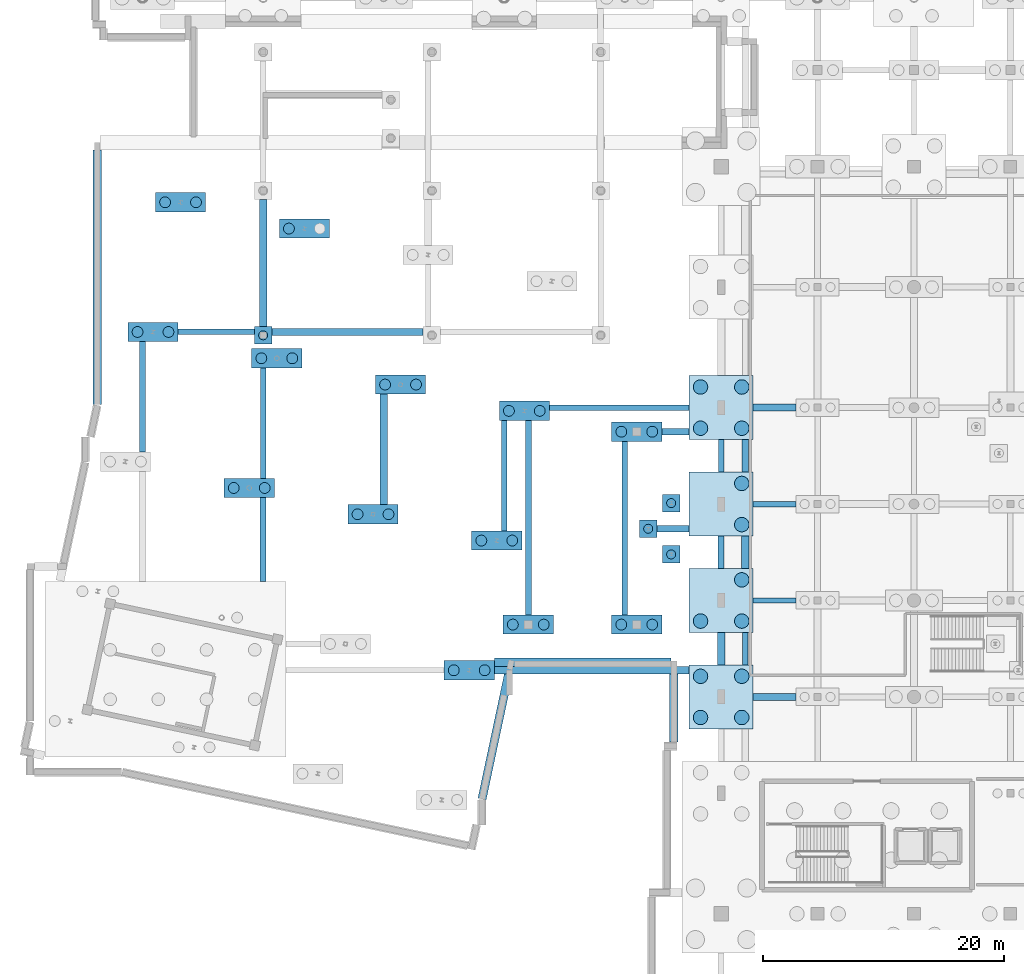
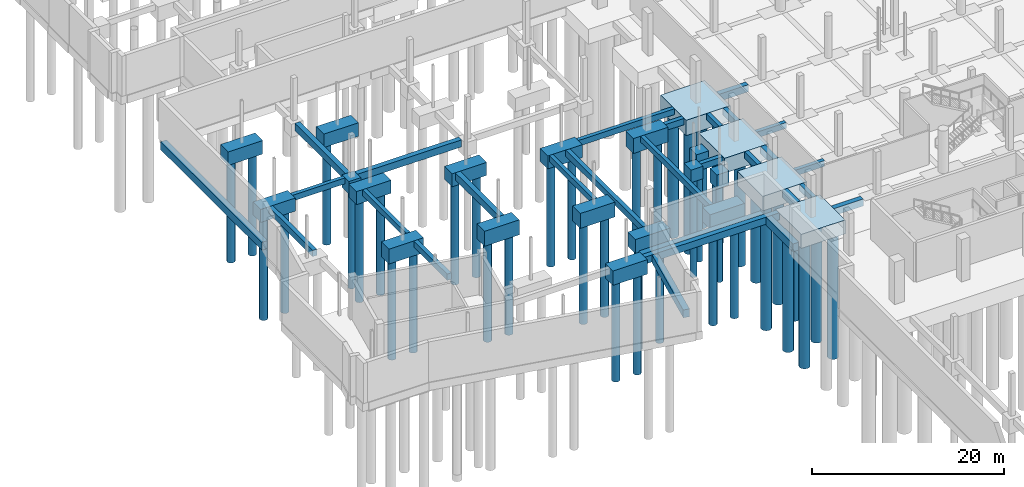
# One storey, part 4 of 65: 49 footings, 42 piles.
"""IFC4 building model written with IfcOpenShell, lengths in metres."""

from ifc_helpers import new_model, si_unit, direction, frame, origin, origin_2d, place, context, subcontext, project, spatial, rectangle, circle, extrude, material, material_profile, profile_set, type_object, element, save


model = new_model("IFC4")

# Units and contexts
model_context = context("Model", 3, precision=1e-05, world=origin(), true_north=direction((0.0, 1.0)))
body_context = subcontext(model_context, "Body", "Model", "MODEL_VIEW")
ifc_project = project(units=[si_unit("LENGTHUNIT", "METRE"), si_unit("AREAUNIT", "SQUARE_METRE"), si_unit("VOLUMEUNIT", "CUBIC_METRE"), si_unit("PLANEANGLEUNIT", "RADIAN"), si_unit("MASSUNIT", "GRAM", prefix="KILO")], contexts=[model_context])

# Site, building, storey
site_placement = place(None, origin())
site = spatial("IfcSite", under=ifc_project, at=site_placement, CompositionType="ELEMENT")
building_placement = place(site_placement, origin())
building = spatial("IfcBuilding", under=site, at=building_placement, Name="Khorjan Park Terminus", CompositionType="ELEMENT")
storey_placement = place(building_placement, frame((0.0, 0.0, -5.4)))
storey = spatial("IfcBuildingStorey", under=building, at=storey_placement, Name="B1", CompositionType="ELEMENT", Elevation=-5.4)

# Footings
ifc_material = material(Name="Concrete C40/50", Category="concrete")
ifc_material_profile_1 = material_profile(ifc_material, rectangle(XDim=0.45, YDim=0.75, at=origin_2d()), Name="RC 450x750")
ifc_profile_set_1 = profile_set([ifc_material_profile_1], Name="Concrete C40/50")
footing_type_1 = type_object("IfcFootingType", Name="FTG-GB-450x750", PredefinedType="FOOTING_BEAM", material=ifc_profile_set_1)
for number, where, z_axis, x_axis, name in (
    (1, (50.66, 52.0, -0.375), (1.0, 0.0, 0.0), (0.0, 1.0, 0.0), "Reinforced concrete ground tie beam FB-07 (38)"),
    (2, (50.66, 60.0, -0.375), (1.0, 0.0, 0.0), (0.0, 1.0, 0.0), "Reinforced concrete ground tie beam FB-07 (47)"),
):
    element("IfcFooting", number, at=place(storey_placement, frame(where, z_axis=z_axis, x_axis=x_axis)), inside=storey, type_object=footing_type_1, Name=name, PredefinedType="FOOTING_BEAM", context=body_context, shape_type="SweptSolid", body=[
        extrude(rectangle(XDim=0.45, YDim=0.75, at=origin_2d()), origin(), (0.0, 0.0, 1.0), 3.546),
    ])
footing_1_placement = place(storey_placement, frame((33.755, 68.0, -0.375), z_axis=(1.0, 0.0, 0.0), x_axis=(0.0, 1.0, 0.0)))
element("IfcFooting", 3, at=footing_1_placement, inside=storey, type_object=footing_type_1, Name="Reinforced concrete ground tie beam FB-07 (56)", PredefinedType="FOOTING_BEAM", context=body_context, shape_type="SweptSolid", body=[
    extrude(rectangle(XDim=0.45, YDim=0.75, at=origin_2d()), origin(), (0.0, 0.0, 1.0), 11.585),
])
footing_2_placement = place(storey_placement, frame((2.944, 74.28, -0.375), z_axis=(1.0, 0.0, 0.0), x_axis=(0.0, 1.0, 0.0)))
element("IfcFooting", 4, at=footing_2_placement, inside=storey, type_object=footing_type_1, Name="Reinforced concrete ground tie beam FB-07 (65)", PredefinedType="FOOTING_BEAM", context=body_context, shape_type="SweptSolid", body=[
    extrude(rectangle(XDim=0.45, YDim=0.75, at=origin_2d()), origin(), (0.0, 0.0, 1.0), 6.331),
])
for number, where, z_axis, x_axis, name in (
    (5, (10.0, 62.136, -0.375), (0.0, 1.0, 0.0), (-1.0, 0.0, 0.0), "Reinforced concrete ground tie beam FB-07 (188)"),
    (6, (30.0, 57.77, -0.375), (0.0, 1.0, 0.0), (-1.0, 0.0, 0.0), "Reinforced concrete ground tie beam FB-07 (206)"),
):
    element("IfcFooting", number, at=place(storey_placement, frame(where, z_axis=z_axis, x_axis=x_axis)), inside=storey, type_object=footing_type_1, Name=name, PredefinedType="FOOTING_BEAM", context=body_context, shape_type="SweptSolid", body=[
        extrude(rectangle(XDim=0.45, YDim=0.75, at=origin_2d()), origin(), (0.0, 0.0, 1.0), 9.16),
    ])
footing_3_placement = place(storey_placement, frame((40.0, 50.8, -0.375), z_axis=(0.0, 1.0, 0.0), x_axis=(-1.0, 0.0, 0.0)))
element("IfcFooting", 7, at=footing_3_placement, inside=storey, type_object=footing_type_1, Name="Reinforced concrete ground tie beam FB-07 (215)", PredefinedType="FOOTING_BEAM", context=body_context, shape_type="SweptSolid", body=[
    extrude(rectangle(XDim=0.45, YDim=0.75, at=origin_2d()), origin(), (0.0, 0.0, 1.0), 14.4),
])
for number, where, z_axis, x_axis, name in (
    (8, (48.0, 62.66, -0.375), (0.0, 1.0, 0.0), (-1.0, 0.0, 0.0), "Reinforced concrete ground tie beam FB-07 (227)"),
    (9, (50.0, 46.66, -0.375), (0.0, 1.0, 0.0), (-1.0, 0.0, 0.0), "Reinforced concrete ground tie beam FB-07 (236)"),
):
    element("IfcFooting", number, at=place(storey_placement, frame(where, z_axis=z_axis, x_axis=x_axis)), inside=storey, type_object=footing_type_1, Name=name, PredefinedType="FOOTING_BEAM", context=body_context, shape_type="SweptSolid", body=[
        extrude(rectangle(XDim=0.45, YDim=0.75, at=origin_2d()), origin(), (0.0, 0.0, 1.0), 2.68),
    ])
ifc_material_profile_2 = material_profile(ifc_material, rectangle(XDim=0.5, YDim=0.8, at=origin_2d()), Name="RC 500x800")
ifc_profile_set_2 = profile_set([ifc_material_profile_2], Name="Concrete C40/50")
footing_type_2 = type_object("IfcFootingType", Name="FTG-GB-500x800", PredefinedType="FOOTING_BEAM", material=ifc_profile_set_2)
footing_4_placement = place(storey_placement, frame((42.675, 57.95, -0.4), z_axis=(1.0, 0.0, 0.0), x_axis=(0.0, 1.0, 0.0)))
element("IfcFooting", 10, at=footing_4_placement, inside=storey, type_object=footing_type_2, Name="Reinforced concrete ground tie beam FB-08 (46)", PredefinedType="FOOTING_BEAM", context=body_context, shape_type="SweptSolid", body=[
    extrude(rectangle(XDim=0.5, YDim=0.8, at=origin_2d()), origin(), (0.0, 0.0, 1.0), 2.665),
])
footing_5_placement = place(storey_placement, frame((43.083, 66.0, -0.4), z_axis=(1.0, 0.0, 0.0), x_axis=(0.0, 1.0, 0.0)))
element("IfcFooting", 11, at=footing_5_placement, inside=storey, type_object=footing_type_2, Name="Reinforced concrete ground tie beam FB-08 (55)", PredefinedType="FOOTING_BEAM", context=body_context, shape_type="SweptSolid", body=[
    extrude(rectangle(XDim=0.5, YDim=0.8, at=origin_2d()), origin(), (0.0, 0.0, 1.0), 2.257),
])
footing_6_placement = place(storey_placement, frame((0.0, 64.319, -0.4), z_axis=(0.0, 1.0, 0.0), x_axis=(-1.0, 0.0, 0.0)))
element("IfcFooting", 12, at=footing_6_placement, inside=storey, type_object=footing_type_2, Name="Reinforced concrete ground tie beam FB-08 (181)", PredefinedType="FOOTING_BEAM", context=body_context, shape_type="SweptSolid", body=[
    extrude(rectangle(XDim=0.5, YDim=0.8, at=origin_2d()), origin(), (0.0, 0.0, 1.0), 9.16),
])
footing_7_placement = place(storey_placement, frame((10.0, 53.56, -0.4), z_axis=(0.0, 1.0, 0.0), x_axis=(-1.0, 0.0, 0.0)))
element("IfcFooting", 13, at=footing_7_placement, inside=storey, type_object=footing_type_2, Name="Reinforced concrete ground tie beam FB-08 (187)", PredefinedType="FOOTING_BEAM", context=body_context, shape_type="SweptSolid", body=[
    extrude(rectangle(XDim=0.5, YDim=0.8, at=origin_2d()), origin(), (0.0, 0.0, 1.0), 6.976),
])
footing_8_placement = place(storey_placement, frame((32.0, 50.8, -0.4), z_axis=(0.0, 1.0, 0.0), x_axis=(-1.0, 0.0, 0.0)))
element("IfcFooting", 14, at=footing_8_placement, inside=storey, type_object=footing_type_2, Name="Reinforced concrete ground tie beam FB-08 (211)", PredefinedType="FOOTING_BEAM", context=body_context, shape_type="SweptSolid", body=[
    extrude(rectangle(XDim=0.5, YDim=0.8, at=origin_2d()), origin(), (0.0, 0.0, 1.0), 16.13),
])
for number, where, z_axis, x_axis, name in (
    (15, (48.0, 54.66, -0.4), (0.0, 1.0, 0.0), (-1.0, 0.0, 0.0), "Reinforced concrete ground tie beam FB-08 (226)"),
    (16, (50.0, 62.66, -0.4), (0.0, 1.0, 0.0), (-1.0, 0.0, 0.0), "Reinforced concrete ground tie beam FB-08 (238)"),
):
    element("IfcFooting", number, at=place(storey_placement, frame(where, z_axis=z_axis, x_axis=x_axis)), inside=storey, type_object=footing_type_2, Name=name, PredefinedType="FOOTING_BEAM", context=body_context, shape_type="SweptSolid", body=[
        extrude(rectangle(XDim=0.5, YDim=0.8, at=origin_2d()), origin(), (0.0, 0.0, 1.0), 2.68),
    ])
ifc_material_profile_3 = material_profile(ifc_material, rectangle(XDim=0.6, YDim=0.9, at=origin_2d()), Name="RC 600x900")
ifc_profile_set_3 = profile_set([ifc_material_profile_3], Name="Concrete C40/50")
footing_type_3 = type_object("IfcFootingType", Name="FTG-GB-600x900", PredefinedType="FOOTING_BEAM", material=ifc_profile_set_3)
footing_9_placement = place(storey_placement, frame((50.66, 44.0, -0.45), z_axis=(1.0, 0.0, 0.0), x_axis=(0.0, 1.0, 0.0)))
element("IfcFooting", 17, at=footing_9_placement, inside=storey, type_object=footing_type_3, Name="Reinforced concrete ground tie beam FB-09 (27)", PredefinedType="FOOTING_BEAM", context=body_context, shape_type="SweptSolid", body=[
    extrude(rectangle(XDim=0.6, YDim=0.9, at=origin_2d()), origin(), (0.0, 0.0, 1.0), 3.546),
])
footing_10_placement = place(storey_placement, frame((29.181, 46.21, -0.45), z_axis=(1.0, 0.0, 0.0), x_axis=(0.0, 1.0, 0.0)))
element("IfcFooting", 18, at=footing_10_placement, inside=storey, type_object=footing_type_3, Name="Reinforced concrete ground tie beam FB-09 (36)", PredefinedType="FOOTING_BEAM", context=body_context, shape_type="SweptSolid", body=[
    extrude(rectangle(XDim=0.6, YDim=0.9, at=origin_2d()), origin(), (0.0, 0.0, 1.0), 16.159),
])
footing_11_placement = place(storey_placement, frame((50.66, 68.0, -0.45), z_axis=(1.0, 0.0, 0.0), x_axis=(0.0, 1.0, 0.0)))
element("IfcFooting", 19, at=footing_11_placement, inside=storey, type_object=footing_type_3, Name="Reinforced concrete ground tie beam FB-09 (57)", PredefinedType="FOOTING_BEAM", context=body_context, shape_type="SweptSolid", body=[
    extrude(rectangle(XDim=0.6, YDim=0.9, at=origin_2d()), origin(), (0.0, 0.0, 1.0), 3.546),
])
footing_12_placement = place(storey_placement, frame((10.725, 74.28, -0.45), z_axis=(1.0, 0.0, 0.0), x_axis=(0.0, 1.0, 0.0)))
element("IfcFooting", 20, at=footing_12_placement, inside=storey, type_object=footing_type_3, Name="Reinforced concrete ground tie beam FB-09 (66)", PredefinedType="FOOTING_BEAM", context=body_context, shape_type="SweptSolid", body=[
    extrude(rectangle(XDim=0.6, YDim=0.9, at=origin_2d()), origin(), (0.0, 0.0, 1.0), 12.55),
])
footing_13_placement = place(storey_placement, frame((10.0, 74.725, -0.45), z_axis=(0.0, 1.0, 0.0), x_axis=(-1.0, 0.0, 0.0)))
element("IfcFooting", 21, at=footing_13_placement, inside=storey, type_object=footing_type_3, Name="Reinforced concrete ground tie beam FB-09 (189)", PredefinedType="FOOTING_BEAM", context=body_context, shape_type="SweptSolid", body=[
    extrude(rectangle(XDim=0.6, YDim=0.9, at=origin_2d()), origin(), (0.0, 0.0, 1.0), 10.55),
])
footing_14_placement = place(storey_placement, frame((20.0, 59.953, -0.45), z_axis=(0.0, 1.0, 0.0), x_axis=(-1.0, 0.0, 0.0)))
element("IfcFooting", 22, at=footing_14_placement, inside=storey, type_object=footing_type_3, Name="Reinforced concrete ground tie beam FB-09 (195)", PredefinedType="FOOTING_BEAM", context=body_context, shape_type="SweptSolid", body=[
    extrude(rectangle(XDim=0.6, YDim=0.9, at=origin_2d()), origin(), (0.0, 0.0, 1.0), 9.16),
])
for number, where, z_axis, x_axis, name in (
    (23, (48.0, 46.66, -0.45), (0.0, 1.0, 0.0), (-1.0, 0.0, 0.0), "Reinforced concrete ground tie beam FB-09 (225)"),
    (24, (50.0, 54.66, -0.45), (0.0, 1.0, 0.0), (-1.0, 0.0, 0.0), "Reinforced concrete ground tie beam FB-09 (237)"),
):
    element("IfcFooting", number, at=place(storey_placement, frame(where, z_axis=z_axis, x_axis=x_axis)), inside=storey, type_object=footing_type_3, Name=name, PredefinedType="FOOTING_BEAM", context=body_context, shape_type="SweptSolid", body=[
        extrude(rectangle(XDim=0.6, YDim=0.9, at=origin_2d()), origin(), (0.0, 0.0, 1.0), 2.68),
    ])
footing_type_4 = type_object("IfcFootingType", Name="FTG-PC-02", PredefinedType="PILE_CAP", material=ifc_material)
for number, where, z_axis, x_axis, name in (
    (25, (8.8455, 61.336, -1.9), (0.0, 0.0, 1.0), (1.0, 0.0, 0.0), "Reinforced concrete pile cap PC-02 (11)"),
    (26, (19.1145, 59.153, -1.9), (0.0, 0.0, 1.0), (1.0, 0.0, 0.0), "Reinforced concrete pile cap PC-02 (25)"),
    (27, (29.3855, 56.97, -1.9), (0.0, 0.0, 1.0), (1.0, 0.0, 0.0), "Reinforced concrete pile cap PC-02 (41)"),
):
    element("IfcFooting", number, at=place(storey_placement, frame(where, z_axis=z_axis, x_axis=x_axis)), inside=storey, type_object=footing_type_4, Name=name, PredefinedType="PILE_CAP", context=body_context, shape_type="SweptSolid", body=[
        extrude(rectangle(XDim=4.165, YDim=1.6, at=origin_2d()), origin(), (0.0, 0.0, 1.0), 1.9),
    ])
footing_15_placement = place(storey_placement, frame((41.0, 66.0, -1.9), z_axis=(0.0, 0.0, 1.0), x_axis=(1.0, 0.0, 0.0)))
element("IfcFooting", 28, at=footing_15_placement, inside=storey, type_object=footing_type_4, Name="Reinforced concrete pile cap PC-02 (61)", PredefinedType="PILE_CAP", context=body_context, shape_type="SweptSolid", body=[
    extrude(rectangle(XDim=4.166, YDim=1.6, at=origin_2d()), origin(), (0.0, 0.0, 1.0), 1.9),
])
footing_type_5 = type_object("IfcFootingType", Name="FTG-PC-05", PredefinedType="PILE_CAP", material=ifc_material)
footing_16_placement = place(storey_placement, frame((32.0005, 50.0, -1.78), z_axis=(0.0, 0.0, 1.0), x_axis=(1.0, 0.0, 0.0)))
element("IfcFooting", 29, at=footing_16_placement, inside=storey, type_object=footing_type_5, Name="Reinforced concrete pile cap PC-05 (49)", PredefinedType="PILE_CAP", context=body_context, shape_type="SweptSolid", body=[
    extrude(rectangle(XDim=4.165, YDim=1.6, at=origin_2d()), origin(), (0.0, 0.0, 1.0), 1.78),
])
footing_type_6 = type_object("IfcFootingType", Name="FTG-PC-06", PredefinedType="PILE_CAP", material=ifc_material)
footing_17_placement = place(storey_placement, frame((41.0, 50.0, -1.84), z_axis=(0.0, 0.0, 1.0), x_axis=(1.0, 0.0, 0.0)))
element("IfcFooting", 30, at=footing_17_placement, inside=storey, type_object=footing_type_6, Name="Reinforced concrete pile cap PC-06 (60)", PredefinedType="PILE_CAP", context=body_context, shape_type="SweptSolid", body=[
    extrude(rectangle(XDim=4.166, YDim=1.6, at=origin_2d()), origin(), (0.0, 0.0, 1.0), 1.84),
])
footing_type_7 = type_object("IfcFootingType", Name="FTG-PC-07", PredefinedType="PILE_CAP", material=ifc_material)
footing_18_placement = place(storey_placement, frame((0.861, 74.279, -1.66), z_axis=(0.0, 0.0, 1.0), x_axis=(1.0, 0.0, 0.0)))
element("IfcFooting", 31, at=footing_18_placement, inside=storey, type_object=footing_type_7, Name="Reinforced concrete pile cap PC-07 (9)", PredefinedType="PILE_CAP", context=body_context, shape_type="SweptSolid", body=[
    extrude(rectangle(XDim=4.166, YDim=1.6, at=origin_2d()), origin(), (0.0, 0.0, 1.0), 1.66),
])
for number, where, z_axis, x_axis, name in (
    (32, (21.4025, 69.913, -1.66), (0.0, 0.0, 1.0), (1.0, 0.0, 0.0), "Reinforced concrete pile cap PC-07 (32)"),
    (33, (31.6725, 67.73, -1.66), (0.0, 0.0, 1.0), (1.0, 0.0, 0.0), "Reinforced concrete pile cap PC-07 (48)"),
):
    element("IfcFooting", number, at=place(storey_placement, frame(where, z_axis=z_axis, x_axis=x_axis)), inside=storey, type_object=footing_type_7, Name=name, PredefinedType="PILE_CAP", context=body_context, shape_type="SweptSolid", body=[
        extrude(rectangle(XDim=4.165, YDim=1.6, at=origin_2d()), origin(), (0.0, 0.0, 1.0), 1.66),
    ])
footing_type_8 = type_object("IfcFootingType", Name="FTG-PC-08", PredefinedType="PILE_CAP", material=ifc_material)
for number, where, z_axis, x_axis, name in (
    (34, (3.1485, 85.038, -1.72), (0.0, 0.0, 1.0), (1.0, 0.0, 0.0), "Reinforced concrete pile cap PC-08 (10)"),
    (35, (13.4195, 82.855, -1.72), (0.0, 0.0, 1.0), (1.0, 0.0, 0.0), "Reinforced concrete pile cap PC-08 (22)"),
):
    element("IfcFooting", number, at=place(storey_placement, frame(where, z_axis=z_axis, x_axis=x_axis)), inside=storey, type_object=footing_type_8, Name=name, PredefinedType="PILE_CAP", context=body_context, shape_type="SweptSolid", body=[
        extrude(rectangle(XDim=4.165, YDim=1.6, at=origin_2d()), origin(), (0.0, 0.0, 1.0), 1.72),
    ])
footing_type_9 = type_object("IfcFootingType", Name="FTG-PC-11", PredefinedType="PILE_CAP", material=ifc_material)
footing_19_placement = place(storey_placement, frame((27.099, 46.21, -1.84), z_axis=(0.0, 0.0, 1.0), x_axis=(1.0, 0.0, 0.0)))
element("IfcFooting", 36, at=footing_19_placement, inside=storey, type_object=footing_type_9, Name="Reinforced concrete pile cap PC-11 (40)", PredefinedType="PILE_CAP", context=body_context, shape_type="SweptSolid", body=[
    extrude(rectangle(XDim=4.164, YDim=1.6, at=origin_2d()), origin(), (0.0, 0.0, 1.0), 1.84),
])
footing_type_10 = type_object("IfcFootingType", Name="FTG-PC-13", PredefinedType="PILE_CAP", material=ifc_material)
footing_20_placement = place(storey_placement, frame((11.132, 72.096, -1.66), z_axis=(0.0, 0.0, 1.0), x_axis=(1.0, 0.0, 0.0)))
element("IfcFooting", 37, at=footing_20_placement, inside=storey, type_object=footing_type_10, Name="Reinforced concrete pile cap PC-13 (18)", PredefinedType="PILE_CAP", context=body_context, shape_type="SweptSolid", body=[
    extrude(rectangle(XDim=4.164, YDim=1.6, at=origin_2d()), origin(), (0.0, 0.0, 1.0), 1.66),
])
footing_type_11 = type_object("IfcFootingType", Name="FTG-PC-15", PredefinedType="PILE_CAP", material=ifc_material)
for number, where, z_axis, x_axis, name in (
    (38, (10.0, 74.0, -1.6), (0.0, 0.0, 1.0), (1.0, 0.0, 0.0), "Reinforced concrete pile cap PC-15 (19)"),
    (39, (41.95, 57.95, -1.6), (0.0, 0.0, 1.0), (1.0, 0.0, 0.0), "Reinforced concrete pile cap PC-15 (62)"),
):
    element("IfcFooting", number, at=place(storey_placement, frame(where, z_axis=z_axis, x_axis=x_axis)), inside=storey, type_object=footing_type_11, Name=name, PredefinedType="PILE_CAP", context=body_context, shape_type="SweptSolid", body=[
        extrude(rectangle(XDim=1.45, YDim=1.45, at=origin_2d()), origin(), (0.0, 0.0, 1.0), 1.6),
    ])
footing_type_12 = type_object("IfcFootingType", Name="FTG-PC-21", PredefinedType="PILE_CAP", material=ifc_material)
footing_21_placement = place(storey_placement, frame((43.85, 60.08, -1.84), z_axis=(0.0, 0.0, 1.0), x_axis=(1.0, 0.0, 0.0)))
element("IfcFooting", 40, at=footing_21_placement, inside=storey, type_object=footing_type_12, Name="Reinforced concrete pile cap PC-21 (64)", PredefinedType="PILE_CAP", context=body_context, shape_type="SweptSolid", body=[
    extrude(rectangle(XDim=1.45, YDim=1.45, at=origin_2d()), origin(), (0.0, 0.0, 1.0), 1.84),
])
footing_type_13 = type_object("IfcFootingType", Name="FTG-PC-22", PredefinedType="PILE_CAP", material=ifc_material)
footing_22_placement = place(storey_placement, frame((43.85, 55.82, -1.78), z_axis=(0.0, 0.0, 1.0), x_axis=(1.0, 0.0, 0.0)))
element("IfcFooting", 41, at=footing_22_placement, inside=storey, type_object=footing_type_13, Name="Reinforced concrete pile cap PC-22 (63)", PredefinedType="PILE_CAP", context=body_context, shape_type="SweptSolid", body=[
    extrude(rectangle(XDim=1.45, YDim=1.45, at=origin_2d()), origin(), (0.0, 0.0, 1.0), 1.78),
])
footing_type_14 = type_object("IfcFootingType", Name="FTG-PC-23", PredefinedType="PILE_CAP", material=ifc_material)
footing_23_placement = place(storey_placement, frame((48.0, 68.0, -1.96), z_axis=(0.0, 0.0, 1.0), x_axis=(1.0, 0.0, 0.0)))
element("IfcFooting", 42, at=footing_23_placement, inside=storey, type_object=footing_type_14, Name="Reinforced concrete pile cap PC-23 (70)", PredefinedType="PILE_CAP", context=body_context, shape_type="SweptSolid", body=[
    extrude(rectangle(XDim=5.32, YDim=5.32, at=origin_2d()), origin(), (0.0, 0.0, 1.0), 1.96),
])
footing_type_15 = type_object("IfcFootingType", Name="FTG-PC-29", PredefinedType="PILE_CAP", material=ifc_material)
footing_24_placement = place(storey_placement, frame((48.0, 44.0, -1.78), z_axis=(0.0, 0.0, 1.0), x_axis=(1.0, 0.0, 0.0)))
element("IfcFooting", 43, at=footing_24_placement, inside=storey, type_object=footing_type_15, Name="Reinforced concrete pile cap PC-29 (67)", PredefinedType="PILE_CAP", context=body_context, shape_type="SweptSolid", body=[
    extrude(rectangle(XDim=5.32, YDim=5.32, at=origin_2d()), origin(), (0.0, 0.0, 1.0), 1.78),
])
footing_type_16 = type_object("IfcFootingType", Name="FTG-PC-30", PredefinedType="PILE_CAP", material=ifc_material)
footing_25_placement = place(storey_placement, frame((48.0, 52.0, -1.84), z_axis=(0.0, 0.0, 1.0), x_axis=(1.0, 0.0, 0.0)))
element("IfcFooting", 44, at=footing_25_placement, inside=storey, type_object=footing_type_16, Name="Reinforced concrete pile cap PC-30 (68)", PredefinedType="PILE_CAP", context=body_context, shape_type="SweptSolid", body=[
    extrude(rectangle(XDim=5.32, YDim=5.32, at=origin_2d()), origin(), (0.0, 0.0, 1.0), 1.84),
])
footing_type_17 = type_object("IfcFootingType", Name="FTG-PC-31", PredefinedType="PILE_CAP", material=ifc_material)
footing_26_placement = place(storey_placement, frame((48.0, 60.0, -1.9), z_axis=(0.0, 0.0, 1.0), x_axis=(1.0, 0.0, 0.0)))
element("IfcFooting", 45, at=footing_26_placement, inside=storey, type_object=footing_type_17, Name="Reinforced concrete pile cap PC-31 (69)", PredefinedType="PILE_CAP", context=body_context, shape_type="SweptSolid", body=[
    extrude(rectangle(XDim=5.32, YDim=5.32, at=origin_2d()), origin(), (0.0, 0.0, 1.0), 1.9),
])
ifc_material_profile_4 = material_profile(ifc_material, rectangle(XDim=0.7, YDim=1.0, at=origin_2d()), Name="RC 700x1000")
ifc_profile_set_4 = profile_set([ifc_material_profile_4], Name="Concrete C40/50")
footing_type_18 = type_object("IfcFootingType", Name="FTG-SF-700x1000", PredefinedType="STRIP_FOOTING", material=ifc_profile_set_4)
footing_27_placement = place(storey_placement, frame((43.84, 46.87, -0.5), z_axis=(-1.0, 0.0, 0.0), x_axis=(0.0, -1.0, 0.0)))
element("IfcFooting", 46, at=footing_27_placement, inside=storey, type_object=footing_type_18, Name="Reinforced concrete wall strip footing SF-07 (20)", PredefinedType="STRIP_FOOTING", context=body_context, shape_type="SweptSolid", body=[
    extrude(rectangle(XDim=0.7, YDim=1.0, at=origin_2d()), origin(), (0.0, 0.0, 1.0), 14.656),
])
footing_28_placement = place(storey_placement, frame((30.3514, 45.8337, -0.5), z_axis=(-0.207917200053, -0.978146429694, 0.0), x_axis=(0.978146429694, -0.207917200053, 0.0)))
element("IfcFooting", 47, at=footing_28_placement, inside=storey, type_object=footing_type_18, Name="Reinforced concrete wall strip footing SF-07 (23)", PredefinedType="STRIP_FOOTING", context=body_context, shape_type="SweptSolid", body=[
    extrude(rectangle(XDim=0.7, YDim=1.0, at=origin_2d()), origin(), (0.0, 0.0, 1.0), 10.5388),
])
footing_29_placement = place(storey_placement, frame((-3.76, 68.2431, -0.5), z_axis=(0.0, 1.0, 0.0), x_axis=(-1.0, 0.0, 0.0)))
element("IfcFooting", 48, at=footing_29_placement, inside=storey, type_object=footing_type_18, Name="Reinforced concrete wall strip footing SF-07 (51)", PredefinedType="STRIP_FOOTING", context=body_context, shape_type="SweptSolid", body=[
    extrude(rectangle(XDim=0.7, YDim=1.0, at=origin_2d()), origin(), (0.0, 0.0, 1.0), 21.1339),
])
footing_30_placement = place(storey_placement, frame((44.08, 40.273, -0.5), z_axis=(0.0, 1.0, 0.0), x_axis=(-1.0, 0.0, 0.0)))
element("IfcFooting", 49, at=footing_30_placement, inside=storey, type_object=footing_type_18, Name="Reinforced concrete wall strip footing SF-07 (78)", PredefinedType="STRIP_FOOTING", context=body_context, shape_type="SweptSolid", body=[
    extrude(rectangle(XDim=0.7, YDim=1.0, at=origin_2d()), origin(), (0.0, 0.0, 1.0), 5.634),
])

# Piles
ifc_material_profile_5 = material_profile(ifc_material, circle(Radius=0.6, at=origin_2d()), Name="BORED D1200")
ifc_profile_set_5 = profile_set([ifc_material_profile_5], Name="Concrete C40/50")
pile_type_1 = type_object("IfcPileType", Name="PL-D1200", PredefinedType="BORED", material=ifc_profile_set_5)
for number, where, z_axis, x_axis, name in (
    (50, (46.29, 42.29, -1.68), (0.0, 0.0, -1.0), (1.0, 0.0, 0.0), "Bored rock-socketed pile PL-120 (163)"),
    (51, (46.29, 45.71, -1.68), (0.0, 0.0, -1.0), (1.0, 0.0, 0.0), "Bored rock-socketed pile PL-120 (164)"),
    (52, (49.71, 42.29, -1.68), (0.0, 0.0, -1.0), (1.0, 0.0, 0.0), "Bored rock-socketed pile PL-120 (165)"),
    (53, (49.71, 45.71, -1.68), (0.0, 0.0, -1.0), (1.0, 0.0, 0.0), "Bored rock-socketed pile PL-120 (166)"),
):
    element("IfcPile", number, at=place(storey_placement, frame(where, z_axis=z_axis, x_axis=x_axis)), inside=storey, type_object=pile_type_1, Name=name, PredefinedType="BORED", context=body_context, shape_type="SweptSolid", body=[
        extrude(circle(Radius=0.6, at=origin_2d()), origin(), (0.0, 0.0, 1.0), 15.92),
    ])
for number, where, z_axis, x_axis, name in (
    (54, (46.29, 50.29, -1.74), (0.0, 0.0, -1.0), (1.0, 0.0, 0.0), "Bored rock-socketed pile PL-120 (167)"),
    (55, (49.71, 50.29, -1.74), (0.0, 0.0, -1.0), (1.0, 0.0, 0.0), "Bored rock-socketed pile PL-120 (168)"),
    (56, (49.71, 53.71, -1.74), (0.0, 0.0, -1.0), (1.0, 0.0, 0.0), "Bored rock-socketed pile PL-120 (169)"),
):
    element("IfcPile", number, at=place(storey_placement, frame(where, z_axis=z_axis, x_axis=x_axis)), inside=storey, type_object=pile_type_1, Name=name, PredefinedType="BORED", context=body_context, shape_type="SweptSolid", body=[
        extrude(circle(Radius=0.6, at=origin_2d()), origin(), (0.0, 0.0, 1.0), 15.86),
    ])
for number, where, z_axis, x_axis, name in (
    (57, (49.71, 58.29, -1.8), (0.0, 0.0, -1.0), (1.0, 0.0, 0.0), "Bored rock-socketed pile PL-120 (170)"),
    (58, (49.71, 61.71, -1.8), (0.0, 0.0, -1.0), (1.0, 0.0, 0.0), "Bored rock-socketed pile PL-120 (171)"),
):
    element("IfcPile", number, at=place(storey_placement, frame(where, z_axis=z_axis, x_axis=x_axis)), inside=storey, type_object=pile_type_1, Name=name, PredefinedType="BORED", context=body_context, shape_type="SweptSolid", body=[
        extrude(circle(Radius=0.6, at=origin_2d()), origin(), (0.0, 0.0, 1.0), 15.8),
    ])
for number, where, z_axis, x_axis, name in (
    (59, (46.29, 66.29, -1.86), (0.0, 0.0, -1.0), (1.0, 0.0, 0.0), "Bored rock-socketed pile PL-120 (172)"),
    (60, (46.29, 69.71, -1.86), (0.0, 0.0, -1.0), (1.0, 0.0, 0.0), "Bored rock-socketed pile PL-120 (173)"),
    (61, (49.71, 66.29, -1.86), (0.0, 0.0, -1.0), (1.0, 0.0, 0.0), "Bored rock-socketed pile PL-120 (174)"),
    (62, (49.71, 69.71, -1.86), (0.0, 0.0, -1.0), (1.0, 0.0, 0.0), "Bored rock-socketed pile PL-120 (175)"),
):
    element("IfcPile", number, at=place(storey_placement, frame(where, z_axis=z_axis, x_axis=x_axis)), inside=storey, type_object=pile_type_1, Name=name, PredefinedType="BORED", context=body_context, shape_type="SweptSolid", body=[
        extrude(circle(Radius=0.6, at=origin_2d()), origin(), (0.0, 0.0, 1.0), 15.74),
    ])
ifc_material_profile_6 = material_profile(ifc_material, circle(Radius=0.375, at=origin_2d()), Name="BORED D750")
ifc_profile_set_6 = profile_set([ifc_material_profile_6], Name="Concrete C40/50")
pile_type_2 = type_object("IfcPileType", Name="PL-D750", PredefinedType="BORED", material=ifc_profile_set_6)
for number, where, z_axis, x_axis, name in (
    (63, (10.0, 74.0, -1.5), (0.0, 0.0, -1.0), (1.0, 0.0, 0.0), "Bored rock-socketed pile PL-75 (53)"),
    (64, (41.95, 57.95, -1.5), (0.0, 0.0, -1.0), (1.0, 0.0, 0.0), "Bored rock-socketed pile PL-75 (132)"),
):
    element("IfcPile", number, at=place(storey_placement, frame(where, z_axis=z_axis, x_axis=x_axis)), inside=storey, type_object=pile_type_2, Name=name, PredefinedType="BORED", context=body_context, shape_type="SweptSolid", body=[
        extrude(circle(Radius=0.375, at=origin_2d()), origin(), (0.0, 0.0, 1.0), 12.6),
    ])
pile_1_placement = place(storey_placement, frame((43.85, 55.82, -1.68), z_axis=(0.0, 0.0, -1.0), x_axis=(1.0, 0.0, 0.0)))
element("IfcPile", 65, at=pile_1_placement, inside=storey, type_object=pile_type_2, Name="Bored rock-socketed pile PL-75 (133)", PredefinedType="BORED", context=body_context, shape_type="SweptSolid", body=[
    extrude(circle(Radius=0.375, at=origin_2d()), origin(), (0.0, 0.0, 1.0), 12.42),
])
pile_2_placement = place(storey_placement, frame((43.85, 60.08, -1.74), z_axis=(0.0, 0.0, -1.0), x_axis=(1.0, 0.0, 0.0)))
element("IfcPile", 66, at=pile_2_placement, inside=storey, type_object=pile_type_2, Name="Bored rock-socketed pile PL-75 (134)", PredefinedType="BORED", context=body_context, shape_type="SweptSolid", body=[
    extrude(circle(Radius=0.375, at=origin_2d()), origin(), (0.0, 0.0, 1.0), 12.36),
])
ifc_material_profile_7 = material_profile(ifc_material, circle(Radius=0.45, at=origin_2d()), Name="BORED D900")
ifc_profile_set_7 = profile_set([ifc_material_profile_7], Name="Concrete C40/50")
pile_type_3 = type_object("IfcPileType", Name="PL-D900", PredefinedType="BORED", material=ifc_profile_set_7)
for number, where, z_axis, x_axis, name in (
    (67, (-0.4215, 74.279, -1.56), (0.0, 0.0, -1.0), (1.0, 0.0, 0.0), "Bored rock-socketed pile PL-90 (29)"),
    (68, (2.1435, 74.279, -1.56), (0.0, 0.0, -1.0), (1.0, 0.0, 0.0), "Bored rock-socketed pile PL-90 (30)"),
):
    element("IfcPile", number, at=place(storey_placement, frame(where, z_axis=z_axis, x_axis=x_axis)), inside=storey, type_object=pile_type_3, Name=name, PredefinedType="BORED", context=body_context, shape_type="SweptSolid", body=[
        extrude(circle(Radius=0.45, at=origin_2d()), origin(), (0.0, 0.0, 1.0), 13.04),
    ])
for number, where, z_axis, x_axis, name in (
    (69, (1.8655, 85.038, -1.62), (0.0, 0.0, -1.0), (1.0, 0.0, 0.0), "Bored rock-socketed pile PL-90 (31)"),
    (70, (4.4305, 85.038, -1.62), (0.0, 0.0, -1.0), (1.0, 0.0, 0.0), "Bored rock-socketed pile PL-90 (32)"),
):
    element("IfcPile", number, at=place(storey_placement, frame(where, z_axis=z_axis, x_axis=x_axis)), inside=storey, type_object=pile_type_3, Name=name, PredefinedType="BORED", context=body_context, shape_type="SweptSolid", body=[
        extrude(circle(Radius=0.45, at=origin_2d()), origin(), (0.0, 0.0, 1.0), 12.98),
    ])
for number, where, z_axis, x_axis, name in (
    (71, (7.5625, 61.336, -1.8), (0.0, 0.0, -1.0), (1.0, 0.0, 0.0), "Bored rock-socketed pile PL-90 (33)"),
    (72, (10.1275, 61.336, -1.8), (0.0, 0.0, -1.0), (1.0, 0.0, 0.0), "Bored rock-socketed pile PL-90 (34)"),
):
    element("IfcPile", number, at=place(storey_placement, frame(where, z_axis=z_axis, x_axis=x_axis)), inside=storey, type_object=pile_type_3, Name=name, PredefinedType="BORED", context=body_context, shape_type="SweptSolid", body=[
        extrude(circle(Radius=0.45, at=origin_2d()), origin(), (0.0, 0.0, 1.0), 12.8),
    ])
for number, where, z_axis, x_axis, name in (
    (73, (9.8495, 72.096, -1.56), (0.0, 0.0, -1.0), (1.0, 0.0, 0.0), "Bored rock-socketed pile PL-90 (51)"),
    (74, (12.4145, 72.096, -1.56), (0.0, 0.0, -1.0), (1.0, 0.0, 0.0), "Bored rock-socketed pile PL-90 (52)"),
):
    element("IfcPile", number, at=place(storey_placement, frame(where, z_axis=z_axis, x_axis=x_axis)), inside=storey, type_object=pile_type_3, Name=name, PredefinedType="BORED", context=body_context, shape_type="SweptSolid", body=[
        extrude(circle(Radius=0.45, at=origin_2d()), origin(), (0.0, 0.0, 1.0), 13.04),
    ])
pile_3_placement = place(storey_placement, frame((12.1365, 82.855, -1.62), z_axis=(0.0, 0.0, -1.0), x_axis=(1.0, 0.0, 0.0)))
element("IfcPile", 75, at=pile_3_placement, inside=storey, type_object=pile_type_3, Name="Bored rock-socketed pile PL-90 (56)", PredefinedType="BORED", context=body_context, shape_type="SweptSolid", body=[
    extrude(circle(Radius=0.45, at=origin_2d()), origin(), (0.0, 0.0, 1.0), 12.98),
])
for number, where, z_axis, x_axis, name in (
    (76, (17.8325, 59.153, -1.8), (0.0, 0.0, -1.0), (1.0, 0.0, 0.0), "Bored rock-socketed pile PL-90 (62)"),
    (77, (20.3975, 59.153, -1.8), (0.0, 0.0, -1.0), (1.0, 0.0, 0.0), "Bored rock-socketed pile PL-90 (63)"),
):
    element("IfcPile", number, at=place(storey_placement, frame(where, z_axis=z_axis, x_axis=x_axis)), inside=storey, type_object=pile_type_3, Name=name, PredefinedType="BORED", context=body_context, shape_type="SweptSolid", body=[
        extrude(circle(Radius=0.45, at=origin_2d()), origin(), (0.0, 0.0, 1.0), 12.8),
    ])
for number, where, z_axis, x_axis, name in (
    (78, (20.1195, 69.913, -1.56), (0.0, 0.0, -1.0), (1.0, 0.0, 0.0), "Bored rock-socketed pile PL-90 (76)"),
    (79, (22.6845, 69.913, -1.56), (0.0, 0.0, -1.0), (1.0, 0.0, 0.0), "Bored rock-socketed pile PL-90 (77)"),
):
    element("IfcPile", number, at=place(storey_placement, frame(where, z_axis=z_axis, x_axis=x_axis)), inside=storey, type_object=pile_type_3, Name=name, PredefinedType="BORED", context=body_context, shape_type="SweptSolid", body=[
        extrude(circle(Radius=0.45, at=origin_2d()), origin(), (0.0, 0.0, 1.0), 13.04),
    ])
for number, where, z_axis, x_axis, name in (
    (80, (25.8165, 46.21, -1.74), (0.0, 0.0, -1.0), (1.0, 0.0, 0.0), "Bored rock-socketed pile PL-90 (87)"),
    (81, (28.3815, 46.21, -1.74), (0.0, 0.0, -1.0), (1.0, 0.0, 0.0), "Bored rock-socketed pile PL-90 (88)"),
):
    element("IfcPile", number, at=place(storey_placement, frame(where, z_axis=z_axis, x_axis=x_axis)), inside=storey, type_object=pile_type_3, Name=name, PredefinedType="BORED", context=body_context, shape_type="SweptSolid", body=[
        extrude(circle(Radius=0.45, at=origin_2d()), origin(), (0.0, 0.0, 1.0), 12.86),
    ])
for number, where, z_axis, x_axis, name in (
    (82, (28.1035, 56.97, -1.8), (0.0, 0.0, -1.0), (1.0, 0.0, 0.0), "Bored rock-socketed pile PL-90 (89)"),
    (83, (30.6685, 56.97, -1.8), (0.0, 0.0, -1.0), (1.0, 0.0, 0.0), "Bored rock-socketed pile PL-90 (90)"),
):
    element("IfcPile", number, at=place(storey_placement, frame(where, z_axis=z_axis, x_axis=x_axis)), inside=storey, type_object=pile_type_3, Name=name, PredefinedType="BORED", context=body_context, shape_type="SweptSolid", body=[
        extrude(circle(Radius=0.45, at=origin_2d()), origin(), (0.0, 0.0, 1.0), 12.8),
    ])
for number, where, z_axis, x_axis, name in (
    (84, (30.3905, 67.73, -1.56), (0.0, 0.0, -1.0), (1.0, 0.0, 0.0), "Bored rock-socketed pile PL-90 (107)"),
    (85, (32.9555, 67.73, -1.56), (0.0, 0.0, -1.0), (1.0, 0.0, 0.0), "Bored rock-socketed pile PL-90 (108)"),
):
    element("IfcPile", number, at=place(storey_placement, frame(where, z_axis=z_axis, x_axis=x_axis)), inside=storey, type_object=pile_type_3, Name=name, PredefinedType="BORED", context=body_context, shape_type="SweptSolid", body=[
        extrude(circle(Radius=0.45, at=origin_2d()), origin(), (0.0, 0.0, 1.0), 13.04),
    ])
for number, where, z_axis, x_axis, name in (
    (86, (30.7175, 50.0, -1.68), (0.0, 0.0, -1.0), (1.0, 0.0, 0.0), "Bored rock-socketed pile PL-90 (109)"),
    (87, (33.2825, 50.0, -1.68), (0.0, 0.0, -1.0), (1.0, 0.0, 0.0), "Bored rock-socketed pile PL-90 (110)"),
):
    element("IfcPile", number, at=place(storey_placement, frame(where, z_axis=z_axis, x_axis=x_axis)), inside=storey, type_object=pile_type_3, Name=name, PredefinedType="BORED", context=body_context, shape_type="SweptSolid", body=[
        extrude(circle(Radius=0.45, at=origin_2d()), origin(), (0.0, 0.0, 1.0), 12.92),
    ])
for number, where, z_axis, x_axis, name in (
    (88, (39.7175, 50.0, -1.74), (0.0, 0.0, -1.0), (1.0, 0.0, 0.0), "Bored rock-socketed pile PL-90 (128)"),
    (89, (42.2825, 50.0, -1.74), (0.0, 0.0, -1.0), (1.0, 0.0, 0.0), "Bored rock-socketed pile PL-90 (129)"),
):
    element("IfcPile", number, at=place(storey_placement, frame(where, z_axis=z_axis, x_axis=x_axis)), inside=storey, type_object=pile_type_3, Name=name, PredefinedType="BORED", context=body_context, shape_type="SweptSolid", body=[
        extrude(circle(Radius=0.45, at=origin_2d()), origin(), (0.0, 0.0, 1.0), 12.86),
    ])
for number, where, z_axis, x_axis, name in (
    (90, (39.7175, 66.0, -1.8), (0.0, 0.0, -1.0), (1.0, 0.0, 0.0), "Bored rock-socketed pile PL-90 (130)"),
    (91, (42.2825, 66.0, -1.8), (0.0, 0.0, -1.0), (1.0, 0.0, 0.0), "Bored rock-socketed pile PL-90 (131)"),
):
    element("IfcPile", number, at=place(storey_placement, frame(where, z_axis=z_axis, x_axis=x_axis)), inside=storey, type_object=pile_type_3, Name=name, PredefinedType="BORED", context=body_context, shape_type="SweptSolid", body=[
        extrude(circle(Radius=0.45, at=origin_2d()), origin(), (0.0, 0.0, 1.0), 12.8),
    ])

save(model, "model.ifc")
